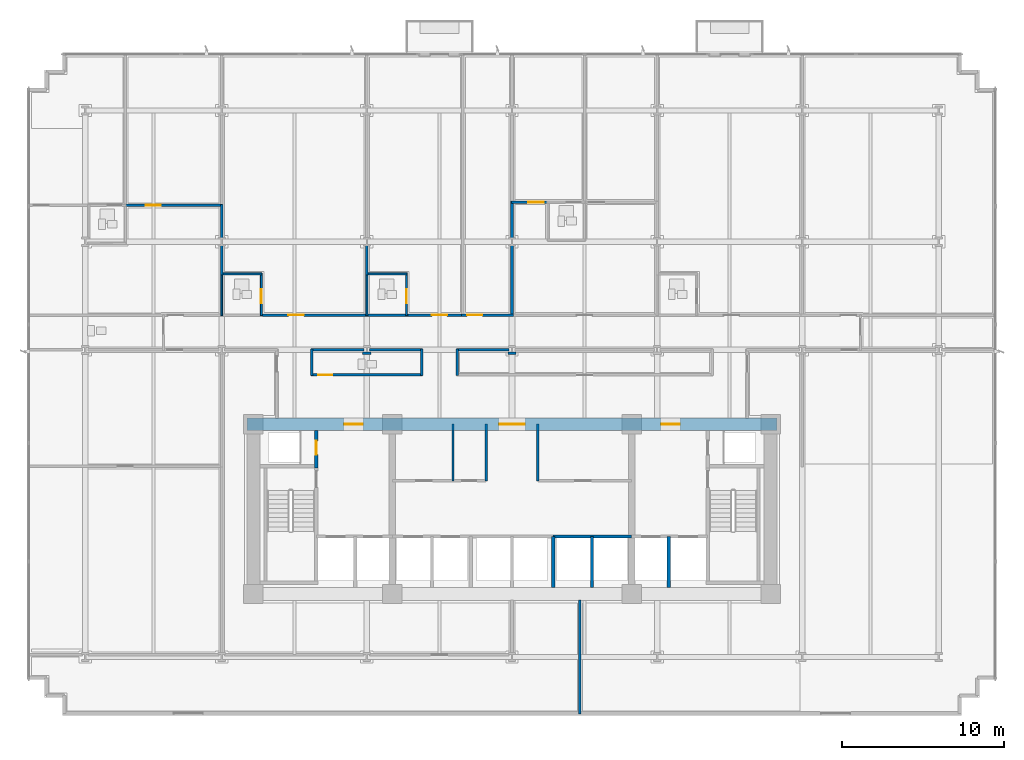
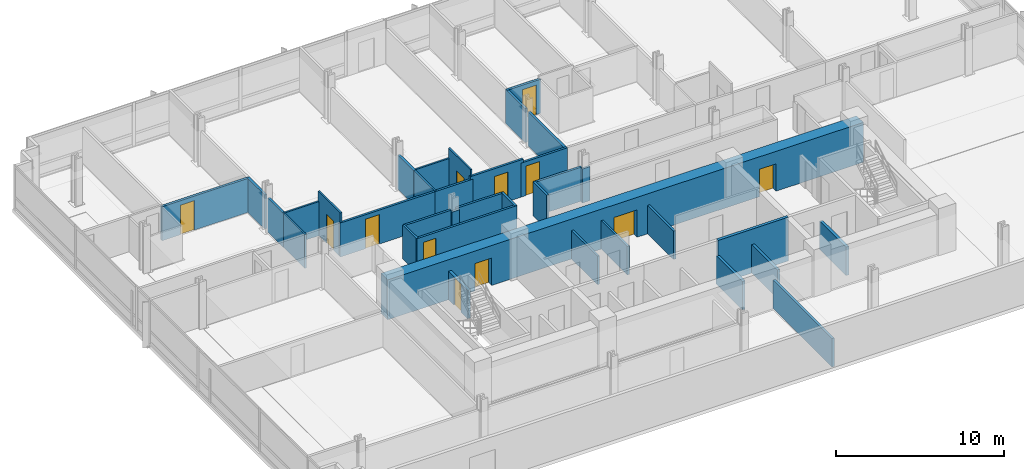
# One storey, part 9 of 16: 36 walls, 12 doors, 12 openings.
"""IFC4 building model written with IfcOpenShell, lengths in metres."""

from ifc_helpers import new_model, si_unit, direction, frame, frame_2d, origin, place, context, subcontext, project, spatial, rectangle, extrude, material, layer, layer_set, type_object, element, fill, save


model = new_model("IFC4")

# Units and contexts
model_context = context("Model", 3, precision=1e-05, world=origin(), true_north=direction((0.0, 1.0)))
body_context = subcontext(model_context, "Body", "Model", "MODEL_VIEW")
ifc_project = project(units=[si_unit("LENGTHUNIT", "METRE"), si_unit("AREAUNIT", "SQUARE_METRE"), si_unit("VOLUMEUNIT", "CUBIC_METRE"), si_unit("PLANEANGLEUNIT", "RADIAN"), si_unit("MASSUNIT", "GRAM", prefix="KILO")], contexts=[model_context])

# Site, building, storey
site_placement = place(None, origin())
site = spatial("IfcSite", under=ifc_project, at=site_placement, CompositionType="ELEMENT")
building_placement = place(site_placement, origin())
building = spatial("IfcBuilding", under=site, at=building_placement, Name="Solmavex Isthmus Hotel", CompositionType="ELEMENT")
storey_placement = place(building_placement, frame((0.0, 0.0, 29.85009765625)))
storey = spatial("IfcBuildingStorey", under=building, at=storey_placement, Name="L07", CompositionType="ELEMENT", Elevation=29.85009765625)

# Wall, opening, door
ifc_material_1 = material(Name="Gypsum plasterboard lining", Category="gypsum")
ifc_layer_1 = layer(ifc_material_1, 0.159912109375)
ifc_layer_set_1 = layer_set([ifc_layer_1], Name="Gypsum plasterboard lining")
wall_type_1 = type_object("IfcWallType", Name="IW-COMP-160", PredefinedType="PARTITIONING", material=ifc_layer_set_1)
wall_1_placement = place(storey_placement, frame((-23.9560546875, 11.0380859375, 0.0), z_axis=(0.0, 0.0, 1.0), x_axis=(1.0, 0.0, 0.0)))
wall_1 = element("IfcWall", 1, at=wall_1_placement, inside=storey, type_object=wall_type_1, Name="Interior Partition Wall W-L07-P034", PredefinedType="PARTITIONING", context=body_context, shape_type="SweptSolid", body=[
    extrude(rectangle(XDim=6.0439453125, YDim=0.159912109375, at=frame_2d((3.02197265625, 0.0))), origin(), (0.0, 0.0, 1.0), 2.4794921875),
])
opening_1_placement = place(wall_1_placement, frame((1.294677734375, 0.0, 0.0)))
opening_1 = element("IfcOpeningElement", 2, at=opening_1_placement, cuts=wall_1, Name="Opening ID-C095", PredefinedType="OPENING", context=body_context, shape_type="SweptSolid", body=[
    extrude(rectangle(XDim=0.949951171875, YDim=2.14990234375, at=frame_2d((0.47509765625, 1.074951171875))), frame((0.0, 0.08984375, 0.0), z_axis=(0.0, -1.0, 0.0), x_axis=(1.0, 0.0, 0.0)), (0.0, 0.0, 1.0), 0.179931640625),
])
ifc_material_2 = material(Name="Hardwood timber", Category="wood")
door_type_1 = type_object("IfcDoorType", Name="IDR-FD60-0950", OperationType="NOTDEFINED", PredefinedType="DOOR", material=ifc_material_2)
door_1_placement = place(opening_1_placement, origin())
door_1 = element("IfcDoor", 3, at=door_1_placement, inside=storey, type_object=door_type_1, Name="Ambassador Panorama Suite Panorama Sitting Study Door L07-03", OperationType="SINGLE_SWING_LEFT", OverallHeight=2.14990234375, OverallWidth=0.949951171875, PredefinedType="DOOR", context=body_context, shape_type="SweptSolid", body=[
    extrude(rectangle(XDim=0.949951171875, YDim=2.14990234375, at=frame_2d((0.47509765625, 1.074951171875))), frame((0.0, 0.02490234375, 0.0), z_axis=(0.0, -1.0, 0.0), x_axis=(1.0, 0.0, 0.0)), (0.0, 0.0, 1.0), 0.050048828125),
])
fill(opening_1, door_1)

# Walls
wall_2_placement = place(storey_placement, frame((-17.951904296875, 8.613037109375, 0.0), z_axis=(0.0, 0.0, 1.0), x_axis=(0.0, -1.0, 0.0)))
element("IfcWall", 4, at=wall_2_placement, inside=storey, type_object=wall_type_1, Name="Interior Partition Wall W-L07-P038", PredefinedType="PARTITIONING", context=body_context, shape_type="SweptSolid", body=[
    extrude(rectangle(XDim=1.89501953125, YDim=0.159912109375, at=frame_2d((0.947509765625, 0.0))), origin(), (0.0, 0.0, 1.0), 2.4794921875),
])
wall_3_placement = place(storey_placement, frame((-17.951904296875, 11.077880859375, 0.0), z_axis=(0.0, 0.0, 1.0), x_axis=(0.0, -1.0, 0.0)))
element("IfcWall", 5, at=wall_3_placement, inside=storey, type_object=wall_type_1, Name="Interior Partition Wall W-L07-P039", PredefinedType="PARTITIONING", context=body_context, shape_type="SweptSolid", body=[
    extrude(rectangle(XDim=2.114990234375, YDim=0.159912109375, at=frame_2d((1.0576171875, 0.0))), origin(), (0.0, 0.0, 1.0), 2.4794921875),
])
wall_4_placement = place(storey_placement, frame((-8.97607421875, 8.613037109375, 0.0), z_axis=(0.0, 0.0, 1.0), x_axis=(0.0, -1.0, 0.0)))
element("IfcWall", 6, at=wall_4_placement, inside=storey, type_object=wall_type_1, Name="Interior Partition Wall W-L07-P048", PredefinedType="PARTITIONING", context=body_context, shape_type="SweptSolid", body=[
    extrude(rectangle(XDim=1.89501953125, YDim=0.159912109375, at=frame_2d((0.947509765625, 0.0))), origin(), (0.0, 0.0, 1.0), 2.4794921875),
])
wall_5_placement = place(storey_placement, frame((0.0, 8.613037109375, 0.0), z_axis=(0.0, 0.0, 1.0), x_axis=(0.0, -1.0, 0.0)))
element("IfcWall", 7, at=wall_5_placement, inside=storey, type_object=wall_type_1, Name="Interior Partition Wall W-L07-P055", PredefinedType="PARTITIONING", context=body_context, shape_type="SweptSolid", body=[
    extrude(rectangle(XDim=4.403076171875, YDim=0.159912109375, at=frame_2d((2.20166015625, 0.0))), origin(), (0.0, 0.0, 1.0), 2.4794921875),
])
wall_6_placement = place(storey_placement, frame((0.0, 11.320068359375, 0.0), z_axis=(0.0, 0.0, 1.0), x_axis=(0.0, -1.0, 0.0)))
element("IfcWall", 8, at=wall_6_placement, inside=storey, type_object=wall_type_1, Name="Interior Partition Wall W-L07-P056", PredefinedType="PARTITIONING", context=body_context, shape_type="SweptSolid", body=[
    extrude(rectangle(XDim=2.357177734375, YDim=0.159912109375, at=frame_2d((1.1787109375, 0.0))), origin(), (0.0, 0.0, 1.0), 2.4794921875),
])

# Wall, opening, door
wall_7_placement = place(storey_placement, frame((-0.0400390625, 11.238037109375, 0.0), z_axis=(0.0, 0.0, 1.0), x_axis=(1.0, 0.0, 0.0)))
wall_7 = element("IfcWall", 9, at=wall_7_placement, inside=storey, type_object=wall_type_1, Name="Interior Partition Wall W-L07-P059", PredefinedType="PARTITIONING", context=body_context, shape_type="SweptSolid", body=[
    extrude(rectangle(XDim=2.318115234375, YDim=0.159912109375, at=frame_2d((1.1591796875, 0.0))), origin(), (0.0, 0.0, 1.0), 2.4794921875),
])
opening_2_placement = place(wall_7_placement, frame((1.06005859375, 0.0, 0.0)))
opening_2 = element("IfcOpeningElement", 10, at=opening_2_placement, cuts=wall_7, Name="Opening ID-C095", PredefinedType="OPENING", context=body_context, shape_type="SweptSolid", body=[
    extrude(rectangle(XDim=0.949951171875, YDim=2.14990234375, at=frame_2d((0.47509765625, 1.074951171875))), frame((0.0, 0.08984375, 0.0), z_axis=(0.0, -1.0, 0.0), x_axis=(1.0, 0.0, 0.0)), (0.0, 0.0, 1.0), 0.179931640625),
])
door_2_placement = place(opening_2_placement, origin())
door_2 = element("IfcDoor", 11, at=door_2_placement, inside=storey, type_object=door_type_1, Name="Diplomatic Hospitality Suite Bedroom Door L07-11", OperationType="SINGLE_SWING_LEFT", OverallHeight=2.14990234375, OverallWidth=0.949951171875, PredefinedType="DOOR", context=body_context, shape_type="SweptSolid", body=[
    extrude(rectangle(XDim=0.949951171875, YDim=2.14990234375, at=frame_2d((0.47509765625, 1.074951171875))), frame((0.0, 0.02490234375, 0.0), z_axis=(0.0, -1.0, 0.0), x_axis=(1.0, 0.0, 0.0)), (0.0, 0.0, 1.0), 0.050048828125),
])
fill(opening_2, door_2)

# Walls
wall_8_placement = place(storey_placement, frame((4.199951171875, -20.419921875, 0.0), z_axis=(0.0, 0.0, 1.0), x_axis=(0.0, 1.0, 0.0)))
element("IfcWall", 12, at=wall_8_placement, inside=storey, type_object=wall_type_1, Name="Interior Partition Wall W-L07-P088", PredefinedType="PARTITIONING", context=body_context, shape_type="SweptSolid", body=[
    extrude(rectangle(XDim=7.059814453125, YDim=0.159912109375, at=frame_2d((3.52978515625, 0.0))), origin(), (0.0, 0.0, 1.0), 2.074951171875),
])
ifc_layer_2 = layer(ifc_material_1, 0.14990234375)
ifc_layer_set_2 = layer_set([ifc_layer_2], Name="Gypsum plasterboard lining")
wall_type_2 = type_object("IfcWallType", Name="IW-CORR-150", PredefinedType="PARTITIONING", material=ifc_layer_set_2)
for number, where, z_axis, x_axis, name in (
    (13, (-1.60009765625, -6.0, 0.0), (0.0, 0.0, 1.0), (0.0, 1.0, 0.0), "Interior Partition Wall W-L07-BOH-WE"),
    (14, (1.60009765625, -6.0, 0.0), (0.0, 0.0, 1.0), (0.0, 1.0, 0.0), "Interior Partition Wall W-L07-BOH-EW"),
):
    element("IfcWall", number, at=place(storey_placement, frame(where, z_axis=z_axis, x_axis=x_axis)), inside=storey, type_object=wall_type_2, Name=name, PredefinedType="PARTITIONING", context=body_context, shape_type="SweptSolid", body=[
        extrude(rectangle(XDim=3.5, YDim=0.14990234375, at=frame_2d((1.75, 0.0))), origin(), (0.0, 0.0, 1.0), 2.074951171875),
    ])

# Wall, opening, door
wall_9_placement = place(storey_placement, frame((-15.583984375, 4.25, 0.0), z_axis=(0.0, 0.0, 1.0), x_axis=(1.0, 0.0, 0.0)))
wall_9 = element("IfcWall", 15, at=wall_9_placement, inside=storey, type_object=wall_type_2, Name="Interior Partition Wall W-L07-P002", PredefinedType="PARTITIONING", context=body_context, shape_type="SweptSolid", body=[
    extrude(rectangle(XDim=6.68994140625, YDim=0.14990234375, at=frame_2d((3.344970703125, 0.0))), origin(), (0.0, 0.0, 1.0), 2.4794921875),
])
opening_3_placement = place(wall_9_placement, frame((1.759521484375, 0.0, 0.0)))
opening_3 = element("IfcOpeningElement", 16, at=opening_3_placement, cuts=wall_9, Name="Opening ID-C095", PredefinedType="OPENING", context=body_context, shape_type="SweptSolid", body=[
    extrude(rectangle(XDim=0.949951171875, YDim=2.14990234375, at=frame_2d((0.47509765625, 1.074951171875))), frame((0.0, 0.0849609375, 0.0), z_axis=(0.0, -1.0, 0.0), x_axis=(1.0, 0.0, 0.0)), (0.0, 0.0, 1.0), 0.169921875),
])
door_3_placement = place(opening_3_placement, origin())
door_3 = element("IfcDoor", 17, at=door_3_placement, inside=storey, type_object=door_type_1, Name="Premier Suite Door L07-05", OperationType="SINGLE_SWING_LEFT", OverallHeight=2.14990234375, OverallWidth=0.949951171875, PredefinedType="DOOR", context=body_context, shape_type="SweptSolid", body=[
    extrude(rectangle(XDim=0.949951171875, YDim=2.14990234375, at=frame_2d((0.47509765625, 1.074951171875))), frame((0.0, 0.02490234375, 0.0), z_axis=(0.0, -1.0, 0.0), x_axis=(1.0, 0.0, 0.0)), (0.0, 0.0, 1.0), 0.050048828125),
])
fill(opening_3, door_3)

wall_10_placement = place(storey_placement, frame((-6.60791015625, 4.25, 0.0), z_axis=(0.0, 0.0, 1.0), x_axis=(1.0, 0.0, 0.0)))
wall_10 = element("IfcWall", 18, at=wall_10_placement, inside=storey, type_object=wall_type_2, Name="Interior Partition Wall W-L07-P004", PredefinedType="PARTITIONING", context=body_context, shape_type="SweptSolid", body=[
    extrude(rectangle(XDim=3.65185546875, YDim=0.14990234375, at=frame_2d((1.825927734375, 0.0))), origin(), (0.0, 0.0, 1.0), 2.718017578125),
])
opening_4_placement = place(wall_10_placement, frame((1.65087890625, 0.0, 0.0)))
opening_4 = element("IfcOpeningElement", 19, at=opening_4_placement, cuts=wall_10, Name="Opening ID-C095", PredefinedType="OPENING", context=body_context, shape_type="SweptSolid", body=[
    extrude(rectangle(XDim=0.949951171875, YDim=2.14990234375, at=frame_2d((0.47509765625, 1.074951171875))), frame((0.0, 0.0849609375, 0.0), z_axis=(0.0, -1.0, 0.0), x_axis=(1.0, 0.0, 0.0)), (0.0, 0.0, 1.0), 0.169921875),
])
door_4_placement = place(opening_4_placement, origin())
door_4 = element("IfcDoor", 20, at=door_4_placement, inside=storey, type_object=door_type_1, Name="Premier Suite Door L07-07", OperationType="SINGLE_SWING_LEFT", OverallHeight=2.14990234375, OverallWidth=0.949951171875, PredefinedType="DOOR", context=body_context, shape_type="SweptSolid", body=[
    extrude(rectangle(XDim=0.949951171875, YDim=2.14990234375, at=frame_2d((0.47509765625, 1.074951171875))), frame((0.0, 0.02490234375, 0.0), z_axis=(0.0, -1.0, 0.0), x_axis=(1.0, 0.0, 0.0)), (0.0, 0.0, 1.0), 0.050048828125),
])
fill(opening_4, door_4)

# Wall
wall_11_placement = place(storey_placement, frame((-9.05810546875, 4.25, 0.0), z_axis=(0.0, 0.0, 1.0), x_axis=(1.0, 0.0, 0.0)))
element("IfcWall", 21, at=wall_11_placement, inside=storey, type_object=wall_type_2, Name="Interior Partition Wall W-L07-P005", PredefinedType="PARTITIONING", context=body_context, shape_type="SweptSolid", body=[
    extrude(rectangle(XDim=2.614013671875, YDim=0.14990234375, at=frame_2d((1.30712890625, 0.0))), origin(), (0.0, 0.0, 1.0), 2.4794921875),
])

# Wall, opening, door
wall_12_placement = place(storey_placement, frame((-3.1201171875, 4.25, 0.0), z_axis=(0.0, 0.0, 1.0), x_axis=(1.0, 0.0, 0.0)))
wall_12 = element("IfcWall", 22, at=wall_12_placement, inside=storey, type_object=wall_type_2, Name="Interior Partition Wall W-L07-P006", PredefinedType="PARTITIONING", context=body_context, shape_type="SweptSolid", body=[
    extrude(rectangle(XDim=3.2021484375, YDim=0.14990234375, at=frame_2d((1.60107421875, 0.0))), origin(), (0.0, 0.0, 1.0), 2.4794921875),
])
opening_5_placement = place(wall_12_placement, frame((0.33935546875, 0.0, 0.0)))
opening_5 = element("IfcOpeningElement", 23, at=opening_5_placement, cuts=wall_12, Name="Opening ID-C095", PredefinedType="OPENING", context=body_context, shape_type="SweptSolid", body=[
    extrude(rectangle(XDim=0.949951171875, YDim=2.14990234375, at=frame_2d((0.47509765625, 1.074951171875))), frame((0.0, 0.0849609375, 0.0), z_axis=(0.0, -1.0, 0.0), x_axis=(1.0, 0.0, 0.0)), (0.0, 0.0, 1.0), 0.169921875),
])
door_5_placement = place(opening_5_placement, origin())
door_5 = element("IfcDoor", 24, at=door_5_placement, inside=storey, type_object=door_type_1, Name="Hospitality Club Lounge Door L07-09", OperationType="SINGLE_SWING_LEFT", OverallHeight=2.14990234375, OverallWidth=0.949951171875, PredefinedType="DOOR", context=body_context, shape_type="SweptSolid", body=[
    extrude(rectangle(XDim=0.949951171875, YDim=2.14990234375, at=frame_2d((0.47509765625, 1.074951171875))), frame((0.0, 0.02490234375, 0.0), z_axis=(0.0, -1.0, 0.0), x_axis=(1.0, 0.0, 0.0)), (0.0, 0.0, 1.0), 0.050048828125),
])
fill(opening_5, door_5)

# Walls
wall_13_placement = place(storey_placement, frame((-8.720947265625, 1.885009765625, 0.0), z_axis=(0.0, 0.0, 1.0), x_axis=(-1.0, 0.0, 0.0)))
element("IfcWall", 25, at=wall_13_placement, inside=storey, type_object=wall_type_2, Name="Interior Partition Wall W-L07-P011", PredefinedType="PARTITIONING", context=body_context, shape_type="SweptSolid", body=[
    extrude(rectangle(XDim=0.510009765625, YDim=0.14990234375, at=frame_2d((0.2548828125, 0.0))), origin(), (0.0, 0.0, 1.0), 2.4794921875),
])
wall_14_placement = place(storey_placement, frame((-9.15087890625, 2.10009765625, 0.0), z_axis=(0.0, 0.0, 1.0), x_axis=(-1.0, 0.0, 0.0)))
element("IfcWall", 26, at=wall_14_placement, inside=storey, type_object=wall_type_2, Name="Interior Partition Wall W-L07-P012", PredefinedType="PARTITIONING", context=body_context, shape_type="SweptSolid", body=[
    extrude(rectangle(XDim=3.273193359375, YDim=0.14990234375, at=frame_2d((1.63671875, 0.0))), origin(), (0.0, 0.0, 1.0), 2.4794921875),
])
wall_15_placement = place(storey_placement, frame((-12.384033203125, 2.139892578125, 0.0), z_axis=(0.0, 0.0, 1.0), x_axis=(0.0, -1.0, 0.0)))
element("IfcWall", 27, at=wall_15_placement, inside=storey, type_object=wall_type_2, Name="Interior Partition Wall W-L07-P013", PredefinedType="PARTITIONING", context=body_context, shape_type="SweptSolid", body=[
    extrude(rectangle(XDim=1.6298828125, YDim=0.14990234375, at=frame_2d((0.81494140625, 0.0))), origin(), (0.0, 0.0, 1.0), 2.4794921875),
])

# Wall, opening, door
wall_16_placement = place(storey_placement, frame((-12.424072265625, 0.550048828125, 0.0), z_axis=(0.0, 0.0, 1.0), x_axis=(1.0, 0.0, 0.0)))
wall_16 = element("IfcWall", 28, at=wall_16_placement, inside=storey, type_object=wall_type_2, Name="Interior Partition Wall W-L07-P014", PredefinedType="PARTITIONING", context=body_context, shape_type="SweptSolid", body=[
    extrude(rectangle(XDim=6.8759765625, YDim=0.14990234375, at=frame_2d((3.43798828125, 0.0))), origin(), (0.0, 0.0, 1.0), 2.4794921875),
])
opening_6_placement = place(wall_16_placement, frame((0.444091796875, 0.0, 0.0)))
opening_6 = element("IfcOpeningElement", 29, at=opening_6_placement, cuts=wall_16, Name="Opening ID-R085", PredefinedType="OPENING", context=body_context, shape_type="SweptSolid", body=[
    extrude(rectangle(XDim=0.85009765625, YDim=2.050048828125, at=frame_2d((0.425048828125, 1.02490234375))), frame((0.0, 0.0849609375, 0.0), z_axis=(0.0, -1.0, 0.0), x_axis=(1.0, 0.0, 0.0)), (0.0, 0.0, 1.0), 0.169921875),
])
ifc_material_3 = material(Name="Steel ASTM A500 Grade C", Category="steel")
door_type_2 = type_object("IfcDoorType", Name="IDR-FD60-0850", OperationType="NOTDEFINED", PredefinedType="DOOR", material=ifc_material_3)
door_6_placement = place(opening_6_placement, frame((0.85009765625, 0.0, 0.0), z_axis=(0.0, 0.0, 1.0), x_axis=(-1.0, 0.0, 0.0)))
door_6 = element("IfcDoor", 30, at=door_6_placement, inside=storey, type_object=door_type_2, Name="Accessible Public Restroom WC Door L07-17", OperationType="SINGLE_SWING_LEFT", OverallHeight=2.050048828125, OverallWidth=0.85009765625, PredefinedType="DOOR", context=body_context, shape_type="SweptSolid", body=[
    extrude(rectangle(XDim=0.85009765625, YDim=2.050048828125, at=frame_2d((0.425048828125, 1.02490234375))), frame((0.0, 0.02490234375, 0.0), z_axis=(0.0, -1.0, 0.0), x_axis=(1.0, 0.0, 0.0)), (0.0, 0.0, 1.0), 0.050048828125),
])
fill(opening_6, door_6)

# Walls
wall_17_placement = place(storey_placement, frame((-5.587890625, 0.510009765625, 0.0), z_axis=(0.0, 0.0, 1.0), x_axis=(0.0, 1.0, 0.0)))
element("IfcWall", 31, at=wall_17_placement, inside=storey, type_object=wall_type_2, Name="Interior Partition Wall W-L07-P015", PredefinedType="PARTITIONING", context=body_context, shape_type="SweptSolid", body=[
    extrude(rectangle(XDim=1.6298828125, YDim=0.14990234375, at=frame_2d((0.81494140625, 0.0))), origin(), (0.0, 0.0, 1.0), 2.4794921875),
])
wall_18_placement = place(storey_placement, frame((-5.548095703125, 2.10009765625, 0.0), z_axis=(0.0, 0.0, 1.0), x_axis=(-1.0, 0.0, 0.0)))
element("IfcWall", 32, at=wall_18_placement, inside=storey, type_object=wall_type_2, Name="Interior Partition Wall W-L07-P016", PredefinedType="PARTITIONING", context=body_context, shape_type="SweptSolid", body=[
    extrude(rectangle(XDim=3.2529296875, YDim=0.14990234375, at=frame_2d((1.62646484375, 0.0))), origin(), (0.0, 0.0, 1.0), 2.4794921875),
])
wall_19_placement = place(storey_placement, frame((0.2548828125, 1.885009765625, 0.0), z_axis=(0.0, 0.0, 1.0), x_axis=(-1.0, 0.0, 0.0)))
element("IfcWall", 33, at=wall_19_placement, inside=storey, type_object=wall_type_2, Name="Interior Partition Wall W-L07-P020", PredefinedType="PARTITIONING", context=body_context, shape_type="SweptSolid", body=[
    extrude(rectangle(XDim=0.509765625, YDim=0.14990234375, at=frame_2d((0.2548828125, 0.0))), origin(), (0.0, 0.0, 1.0), 2.4794921875),
])
wall_20_placement = place(storey_placement, frame((-0.175048828125, 2.10009765625, 0.0), z_axis=(0.0, 0.0, 1.0), x_axis=(-1.0, 0.0, 0.0)))
element("IfcWall", 34, at=wall_20_placement, inside=storey, type_object=wall_type_2, Name="Interior Partition Wall W-L07-P021", PredefinedType="PARTITIONING", context=body_context, shape_type="SweptSolid", body=[
    extrude(rectangle(XDim=3.2529296875, YDim=0.14990234375, at=frame_2d((1.62646484375, 0.0))), origin(), (0.0, 0.0, 1.0), 2.4794921875),
])
wall_21_placement = place(storey_placement, frame((-3.387939453125, 2.139892578125, 0.0), z_axis=(0.0, 0.0, 1.0), x_axis=(0.0, -1.0, 0.0)))
element("IfcWall", 35, at=wall_21_placement, inside=storey, type_object=wall_type_2, Name="Interior Partition Wall W-L07-P022", PredefinedType="PARTITIONING", context=body_context, shape_type="SweptSolid", body=[
    extrude(rectangle(XDim=1.6298828125, YDim=0.14990234375, at=frame_2d((0.81494140625, 0.0))), origin(), (0.0, 0.0, 1.0), 2.4794921875),
])
ifc_layer_3 = layer(ifc_material_1, 0.1201171875)
ifc_layer_set_3 = layer_set([ifc_layer_3], Name="Gypsum plasterboard lining")
wall_type_3 = type_object("IfcWallType", Name="IW-PART-120", PredefinedType="PARTITIONING", material=ifc_layer_set_3)
wall_22_placement = place(storey_placement, frame((-3.64990234375, -6.0, 0.0), z_axis=(0.0, 0.0, 1.0), x_axis=(0.0, 1.0, 0.0)))
element("IfcWall", 36, at=wall_22_placement, inside=storey, type_object=wall_type_3, Name="Interior Partition Wall W-L07-BOH-WM1", PredefinedType="PARTITIONING", context=body_context, shape_type="SweptSolid", body=[
    extrude(rectangle(XDim=3.5, YDim=0.14990234375, at=frame_2d((1.75, 0.0))), origin(), (0.0, 0.0, 1.0), 2.074951171875),
])
wall_23_placement = place(storey_placement, frame((-17.951904296875, 6.882080078125, 0.0), z_axis=(0.0, 0.0, 1.0), x_axis=(0.0, -1.0, 0.0)))
element("IfcWall", 37, at=wall_23_placement, inside=storey, type_object=wall_type_3, Name="Interior Partition Wall W-L07-P040", PredefinedType="PARTITIONING", context=body_context, shape_type="SweptSolid", body=[
    extrude(rectangle(XDim=2.672119140625, YDim=0.1201171875, at=frame_2d((1.3359375, 0.0))), origin(), (0.0, 0.0, 1.0), 2.4794921875),
])

# Wall, opening, door
wall_24_placement = place(storey_placement, frame((-15.501953125, 4.2099609375, 0.0), z_axis=(0.0, 0.0, 1.0), x_axis=(0.0, 1.0, 0.0)))
wall_24 = element("IfcWall", 38, at=wall_24_placement, inside=storey, type_object=wall_type_3, Name="Interior Partition Wall W-L07-P046", PredefinedType="PARTITIONING", context=body_context, shape_type="SweptSolid", body=[
    extrude(rectangle(XDim=2.630126953125, YDim=0.1201171875, at=frame_2d((1.31494140625, 0.0))), origin(), (0.0, 0.0, 1.0), 3.18994140625),
])
opening_7_placement = place(wall_24_placement, frame((0.782958984375, 0.0, 0.0)))
opening_7 = element("IfcOpeningElement", 39, at=opening_7_placement, cuts=wall_24, Name="Opening ID-U085", PredefinedType="OPENING", context=body_context, shape_type="SweptSolid", body=[
    extrude(rectangle(XDim=0.85009765625, YDim=2.10009765625, at=frame_2d((0.425048828125, 1.050048828125))), frame((0.0, 0.070068359375, 0.0), z_axis=(0.0, -1.0, 0.0), x_axis=(1.0, 0.0, 0.0)), (0.0, 0.0, 1.0), 0.14013671875),
])
door_type_3 = type_object("IfcDoorType", Name="IDR-UNR-0850", OperationType="NOTDEFINED", PredefinedType="DOOR", material=ifc_material_2)
door_7_placement = place(opening_7_placement, frame((0.85009765625, 0.0, 0.0), z_axis=(0.0, 0.0, 1.0), x_axis=(-1.0, 0.0, 0.0)))
door_7 = element("IfcDoor", 40, at=door_7_placement, inside=storey, type_object=door_type_3, Name="En-suite Bathroom Door L07-06", OperationType="SINGLE_SWING_RIGHT", OverallHeight=2.10009765625, OverallWidth=0.85009765625, PredefinedType="DOOR", context=body_context, shape_type="SweptSolid", body=[
    extrude(rectangle(XDim=0.85009765625, YDim=2.10009765625, at=frame_2d((0.425048828125, 1.050048828125))), frame((0.0, 0.02490234375, 0.0), z_axis=(0.0, -1.0, 0.0), x_axis=(1.0, 0.0, 0.0)), (0.0, 0.0, 1.0), 0.050048828125),
])
fill(opening_7, door_7)

# Walls
wall_25_placement = place(storey_placement, frame((-15.4619140625, 6.800048828125, 0.0), z_axis=(0.0, 0.0, 1.0), x_axis=(-1.0, 0.0, 0.0)))
element("IfcWall", 41, at=wall_25_placement, inside=storey, type_object=wall_type_3, Name="Interior Partition Wall W-L07-P047", PredefinedType="PARTITIONING", context=body_context, shape_type="SweptSolid", body=[
    extrude(rectangle(XDim=2.530029296875, YDim=0.1201171875, at=frame_2d((1.26513671875, 0.0))), origin(), (0.0, 0.0, 1.0), 2.4794921875),
])
wall_26_placement = place(storey_placement, frame((-8.97607421875, 6.882080078125, 0.0), z_axis=(0.0, 0.0, 1.0), x_axis=(0.0, -1.0, 0.0)))
element("IfcWall", 42, at=wall_26_placement, inside=storey, type_object=wall_type_3, Name="Interior Partition Wall W-L07-P051", PredefinedType="PARTITIONING", context=body_context, shape_type="SweptSolid", body=[
    extrude(rectangle(XDim=2.672119140625, YDim=0.1201171875, at=frame_2d((1.3359375, 0.0))), origin(), (0.0, 0.0, 1.0), 2.4794921875),
])

# Wall, opening, door
wall_27_placement = place(storey_placement, frame((-6.52587890625, 4.2099609375, 0.0), z_axis=(0.0, 0.0, 1.0), x_axis=(0.0, 1.0, 0.0)))
wall_27 = element("IfcWall", 43, at=wall_27_placement, inside=storey, type_object=wall_type_3, Name="Interior Partition Wall W-L07-P052", PredefinedType="PARTITIONING", context=body_context, shape_type="SweptSolid", body=[
    extrude(rectangle(XDim=2.630126953125, YDim=0.1201171875, at=frame_2d((1.31494140625, 0.0))), origin(), (0.0, 0.0, 1.0), 3.18994140625),
])
opening_8_placement = place(wall_27_placement, frame((0.782958984375, 0.0, 0.0)))
opening_8 = element("IfcOpeningElement", 44, at=opening_8_placement, cuts=wall_27, Name="Opening ID-U085", PredefinedType="OPENING", context=body_context, shape_type="SweptSolid", body=[
    extrude(rectangle(XDim=0.85009765625, YDim=2.10009765625, at=frame_2d((0.425048828125, 1.050048828125))), frame((0.0, 0.070068359375, 0.0), z_axis=(0.0, -1.0, 0.0), x_axis=(1.0, 0.0, 0.0)), (0.0, 0.0, 1.0), 0.14013671875),
])
door_8_placement = place(opening_8_placement, frame((0.85009765625, 0.0, 0.0), z_axis=(0.0, 0.0, 1.0), x_axis=(-1.0, 0.0, 0.0)))
door_8 = element("IfcDoor", 45, at=door_8_placement, inside=storey, type_object=door_type_3, Name="En-suite Bathroom Door L07-08", OperationType="SINGLE_SWING_RIGHT", OverallHeight=2.10009765625, OverallWidth=0.85009765625, PredefinedType="DOOR", context=body_context, shape_type="SweptSolid", body=[
    extrude(rectangle(XDim=0.85009765625, YDim=2.10009765625, at=frame_2d((0.425048828125, 1.050048828125))), frame((0.0, 0.02490234375, 0.0), z_axis=(0.0, -1.0, 0.0), x_axis=(1.0, 0.0, 0.0)), (0.0, 0.0, 1.0), 0.050048828125),
])
fill(opening_8, door_8)

# Walls
wall_28_placement = place(storey_placement, frame((-6.486083984375, 6.800048828125, 0.0), z_axis=(0.0, 0.0, 1.0), x_axis=(-1.0, 0.0, 0.0)))
element("IfcWall", 46, at=wall_28_placement, inside=storey, type_object=wall_type_3, Name="Interior Partition Wall W-L07-P053", PredefinedType="PARTITIONING", context=body_context, shape_type="SweptSolid", body=[
    extrude(rectangle(XDim=2.530029296875, YDim=0.1201171875, at=frame_2d((1.26513671875, 0.0))), origin(), (0.0, 0.0, 1.0), 2.4794921875),
])
ifc_material_4 = material(Name="Concrete C40/50", Category="concrete")
ifc_layer_4 = layer(ifc_material_4, 0.179931640625)
ifc_layer_set_4 = layer_set([ifc_layer_4], Name="Concrete C40/50")
wall_type_4 = type_object("IfcWallType", Name="IW-SHAFT-180", PredefinedType="PARTITIONING", material=ifc_layer_set_4)
wall_29_placement = place(storey_placement, frame((4.949951171875, -12.60009765625, 0.0), z_axis=(0.0, 0.0, 1.0), x_axis=(0.0, 1.0, 0.0)))
element("IfcWall", 47, at=wall_29_placement, inside=storey, type_object=wall_type_4, Name="Interior Partition Wall W-L07-SH-PLH-M", PredefinedType="PARTITIONING", context=body_context, shape_type="SweptSolid", body=[
    extrude(rectangle(XDim=3.150146484375, YDim=0.179931640625, at=frame_2d((1.5751953125, 0.0))), origin(), (0.0, 0.0, 1.0), 2.074951171875),
])

# Wall, opening, door
ifc_layer_5 = layer(ifc_material_4, 0.199951171875)
ifc_layer_set_5 = layer_set([ifc_layer_5], Name="Concrete C40/50")
wall_type_5 = type_object("IfcWallType", Name="IW-SHAFT-200", PredefinedType="PARTITIONING", material=ifc_layer_set_5)
wall_30_placement = place(storey_placement, frame((-12.10009765625, -5.199951171875, 0.0), z_axis=(0.0, 0.0, 1.0), x_axis=(0.0, 1.0, 0.0)))
wall_30 = element("IfcWall", 48, at=wall_30_placement, inside=storey, type_object=wall_type_5, Name="Interior Partition Wall W-L07-RSW-E", PredefinedType="PARTITIONING", context=body_context, shape_type="SweptSolid", body=[
    extrude(rectangle(XDim=2.300048828125, YDim=0.199951171875, at=frame_2d((1.14990234375, 0.0))), origin(), (0.0, 0.0, 1.0), 2.074951171875),
])
opening_9_placement = place(wall_30_placement, frame((0.824951171875, 0.0, 0.0)))
opening_9 = element("IfcOpeningElement", 49, at=opening_9_placement, cuts=wall_30, Name="Opening ID-R085", PredefinedType="OPENING", context=body_context, shape_type="SweptSolid", body=[
    extrude(rectangle(XDim=0.85009765625, YDim=2.050048828125, at=frame_2d((0.425048828125, 1.02490234375))), frame((0.0, 0.10986328125, 0.0), z_axis=(0.0, -1.0, 0.0), x_axis=(1.0, 0.0, 0.0)), (0.0, 0.0, 1.0), 0.219970703125),
])
door_9_placement = place(opening_9_placement, origin())
door_9 = element("IfcDoor", 50, at=door_9_placement, inside=storey, type_object=door_type_2, Name="Electrical Riser Door L07", OperationType="SINGLE_SWING_RIGHT", OverallHeight=2.050048828125, OverallWidth=0.85009765625, PredefinedType="DOOR", context=body_context, shape_type="SweptSolid", body=[
    extrude(rectangle(XDim=0.85009765625, YDim=2.050048828125, at=frame_2d((0.425048828125, 1.02490234375))), frame((0.0, 0.02490234375, 0.0), z_axis=(0.0, -1.0, 0.0), x_axis=(1.0, 0.0, 0.0)), (0.0, 0.0, 1.0), 0.050048828125),
])
fill(opening_9, door_9)

# Walls
for number, where, z_axis, x_axis, name in (
    (51, (9.699951171875, -12.60009765625, 0.0), (0.0, 0.0, 1.0), (0.0, 1.0, 0.0), "Interior Partition Wall W-L07-FFLE-M"),
    (52, (2.550048828125, -12.60009765625, 0.0), (0.0, 0.0, 1.0), (0.0, 1.0, 0.0), "Interior Partition Wall W-L07-SH-PLM-E"),
):
    element("IfcWall", number, at=place(storey_placement, frame(where, z_axis=z_axis, x_axis=x_axis)), inside=storey, type_object=wall_type_5, Name=name, PredefinedType="PARTITIONING", context=body_context, shape_type="SweptSolid", body=[
        extrude(rectangle(XDim=3.150146484375, YDim=0.199951171875, at=frame_2d((1.5751953125, 0.0))), origin(), (0.0, 0.0, 1.0), 2.074951171875),
    ])
wall_31_placement = place(storey_placement, frame((2.550048828125, -9.449951171875, 0.0), z_axis=(0.0, 0.0, 1.0), x_axis=(1.0, 0.0, 0.0)))
element("IfcWall", 53, at=wall_31_placement, inside=storey, type_object=wall_type_5, Name="Interior Partition Wall W-L07-SH-PLH", PredefinedType="PARTITIONING", context=body_context, shape_type="SweptSolid", body=[
    extrude(rectangle(XDim=4.849853515625, YDim=0.199951171875, at=frame_2d((2.4248046875, 0.0))), origin(), (0.0, 0.0, 1.0), 3.18994140625),
])

# Wall, openings, doors
ifc_material_5 = material(Name="Concrete C70/85", Category="concrete")
ifc_layer_6 = layer(ifc_material_5, 0.800048828125)
ifc_layer_set_6 = layer_set([ifc_layer_6], Name="Concrete C70/85")
wall_type_6 = type_object("IfcWallType", Name="WALL-CW-800", PredefinedType="SHEAR", material=ifc_layer_set_6)
wall_32_placement = place(storey_placement, frame((-16.39990234375, -2.5, 0.0), z_axis=(0.0, 0.0, 1.0), x_axis=(1.0, 0.0, 0.0)))
wall_32 = element("IfcWall", 54, at=wall_32_placement, inside=storey, type_object=wall_type_6, Name="Core Shear Wall North L07", PredefinedType="SHEAR", context=body_context, shape_type="SweptSolid", body=[
    extrude(rectangle(XDim=32.7998046875, YDim=0.800048828125, at=frame_2d((16.39990234375, 0.0))), origin(), (0.0, 0.0, 1.0), 2.909912109375),
])
opening_10_placement = place(wall_32_placement, frame((6.02490234375, 0.0, 0.0)))
opening_10 = element("IfcOpeningElement", 55, at=opening_10_placement, cuts=wall_32, Name="Opening ID-F915", PredefinedType="OPENING", context=body_context, shape_type="SweptSolid", body=[
    extrude(rectangle(XDim=1.14990234375, YDim=2.0, at=frame_2d((0.574951171875, 1.0))), frame((0.0, 0.409912109375, 0.0), z_axis=(0.0, -1.0, 0.0), x_axis=(1.0, 0.0, 0.0)), (0.0, 0.0, 1.0), 0.820068359375),
])
opening_11_placement = place(wall_32_placement, frame((15.60009765625, 0.0, 0.0)))
opening_11 = element("IfcOpeningElement", 56, at=opening_11_placement, cuts=wall_32, Name="Opening ID-F960", PredefinedType="OPENING", context=body_context, shape_type="SweptSolid", body=[
    extrude(rectangle(XDim=1.60009765625, YDim=2.0, at=frame_2d((0.800048828125, 1.0))), frame((0.0, 0.409912109375, 0.0), z_axis=(0.0, -1.0, 0.0), x_axis=(1.0, 0.0, 0.0)), (0.0, 0.0, 1.0), 0.820068359375),
])
opening_12_placement = place(wall_32_placement, frame((25.625, 0.0, 0.0)))
opening_12 = element("IfcOpeningElement", 57, at=opening_12_placement, cuts=wall_32, Name="Opening ID-F915", PredefinedType="OPENING", context=body_context, shape_type="SweptSolid", body=[
    extrude(rectangle(XDim=1.14990234375, YDim=2.0, at=frame_2d((0.574951171875, 1.0))), frame((0.0, 0.409912109375, 0.0), z_axis=(0.0, -1.0, 0.0), x_axis=(1.0, 0.0, 0.0)), (0.0, 0.0, 1.0), 0.820068359375),
])
door_type_4 = type_object("IfcDoorType", Name="IDR-FD90-1150C", OperationType="NOTDEFINED", PredefinedType="DOOR", material=ifc_material_3)
door_10_placement = place(opening_10_placement, origin())
door_10 = element("IfcDoor", 58, at=door_10_placement, inside=storey, type_object=door_type_4, Name="Firefighting Lobby West Exit Door L07", OperationType="SINGLE_SWING_LEFT", OverallHeight=2.0, OverallWidth=1.14990234375, PredefinedType="DOOR", context=body_context, shape_type="SweptSolid", body=[
    extrude(rectangle(XDim=1.14990234375, YDim=2.0, at=frame_2d((0.574951171875, 1.0))), frame((0.0, 0.02490234375, 0.0), z_axis=(0.0, -1.0, 0.0), x_axis=(1.0, 0.0, 0.0)), (0.0, 0.0, 1.0), 0.050048828125),
])
fill(opening_10, door_10)
door_11_placement = place(opening_12_placement, origin())
door_11 = element("IfcDoor", 59, at=door_11_placement, inside=storey, type_object=door_type_4, Name="Firefighting Lobby East Exit Door L07", OperationType="SINGLE_SWING_RIGHT", OverallHeight=2.0, OverallWidth=1.14990234375, PredefinedType="DOOR", context=body_context, shape_type="SweptSolid", body=[
    extrude(rectangle(XDim=1.14990234375, YDim=2.0, at=frame_2d((0.574951171875, 1.0))), frame((0.0, 0.02490234375, 0.0), z_axis=(0.0, -1.0, 0.0), x_axis=(1.0, 0.0, 0.0)), (0.0, 0.0, 1.0), 0.050048828125),
])
fill(opening_12, door_11)
door_type_5 = type_object("IfcDoorType", Name="IDR-FD90-1600C", OperationType="NOTDEFINED", PredefinedType="DOOR", material=ifc_material_3)
door_12_placement = place(opening_11_placement, origin())
door_12 = element("IfcDoor", 60, at=door_12_placement, inside=storey, type_object=door_type_5, Name="Central Lift Lobby Door L07", OperationType="DOUBLE_DOOR_SINGLE_SWING", OverallHeight=2.0, OverallWidth=1.60009765625, PredefinedType="DOOR", context=body_context, shape_type="SweptSolid", body=[
    extrude(rectangle(XDim=1.60009765625, YDim=2.0, at=frame_2d((0.800048828125, 1.0))), frame((0.0, 0.02490234375, 0.0), z_axis=(0.0, -1.0, 0.0), x_axis=(1.0, 0.0, 0.0)), (0.0, 0.0, 1.0), 0.050048828125),
])
fill(opening_11, door_12)

save(model, "model.ifc")
